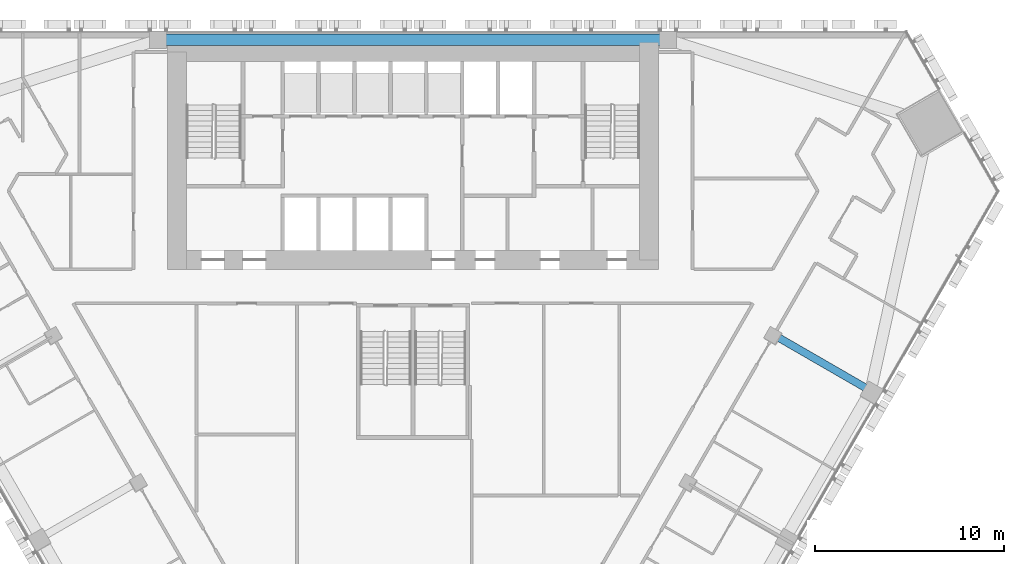
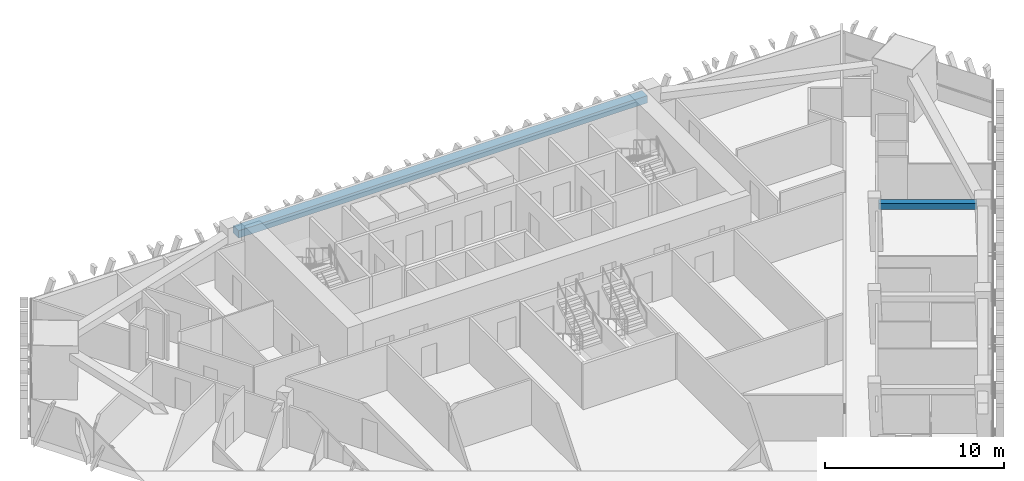
# One storey, part 7 of 18: 2 beams.
"""IFC4 building model written with IfcOpenShell, lengths in metres."""

from ifc_helpers import new_model, si_unit, direction, frame, origin, origin_2d, place, context, subcontext, project, spatial, rectangle, extrude, material, material_profile, profile_set, type_object, element, save


model = new_model("IFC4")

# Units and contexts
model_context = context("Model", 3, precision=1e-05, world=origin(), true_north=direction((0.0, 1.0)))
body_context = subcontext(model_context, "Body", "Model", "MODEL_VIEW")
ifc_project = project(units=[si_unit("LENGTHUNIT", "METRE"), si_unit("AREAUNIT", "SQUARE_METRE"), si_unit("VOLUMEUNIT", "CUBIC_METRE"), si_unit("PLANEANGLEUNIT", "RADIAN"), si_unit("MASSUNIT", "GRAM", prefix="KILO")], contexts=[model_context])

# Site, building, storey
site_placement = place(None, origin())
site = spatial("IfcSite", under=ifc_project, at=site_placement, CompositionType="ELEMENT")
building_placement = place(site_placement, origin())
building = spatial("IfcBuilding", under=site, at=building_placement, Name="Altiplano Prism Tower", CompositionType="ELEMENT")
storey_placement = place(building_placement, frame((0.0, 0.0, 37.800048828125)))
storey = spatial("IfcBuildingStorey", under=building, at=storey_placement, Name="L08", CompositionType="ELEMENT", Elevation=37.800048828125)

# Beams
ifc_material = material(Name="Concrete C60/75", Category="concrete")
ifc_material_profile_1 = material_profile(ifc_material, rectangle(XDim=0.60009765625, YDim=0.5, at=origin_2d()), Name="Edge beam 600x500")
ifc_profile_set_1 = profile_set([ifc_material_profile_1], Name="Concrete C60/75")
beam_type_1 = type_object("IfcBeamType", Name="Edge beam 600x500", PredefinedType="SPANDREL", material=ifc_profile_set_1)
beam_1_placement = place(storey_placement, frame((98.169921875, 104.550048828125, 2.849853515625), z_axis=(-1.0, 0.0, 0.0), x_axis=(0.0, -1.0, 0.0)))
element("IfcBeam", 1, at=beam_1_placement, inside=storey, type_object=beam_type_1, Name="Edge beam P01-P04 L09", PredefinedType="SPANDREL", context=body_context, shape_type="SweptSolid", body=[
    extrude(rectangle(XDim=0.60009765625, YDim=0.5, at=origin_2d()), origin(), (0.0, 0.0, 1.0), 26.33984375),
])
ifc_material_profile_2 = material_profile(ifc_material, rectangle(XDim=0.39990234375, YDim=0.39990234375, at=origin_2d()), Name="Tie beam 400x400")
ifc_profile_set_2 = profile_set([ifc_material_profile_2], Name="Concrete C60/75")
beam_type_2 = type_object("IfcBeamType", Name="Tie beam 400x400", PredefinedType="BEAM", material=ifc_profile_set_2)
beam_2_placement = place(storey_placement, frame((104.1865234375, 88.880615234375, 2.89990234375), z_axis=(0.866023410697, -0.500003452112, 0.0), x_axis=(0.500003452112, 0.866023410697, 0.0)))
element("IfcBeam", 2, at=beam_2_placement, inside=storey, type_object=beam_type_2, Name="Tie beam I24 L09", PredefinedType="BEAM", context=body_context, shape_type="SweptSolid", body=[
    extrude(rectangle(XDim=0.39990234375, YDim=0.39990234375, at=origin_2d()), origin(), (0.0, 0.0, 1.0), 5.490234375),
])

save(model, "model.ifc")
